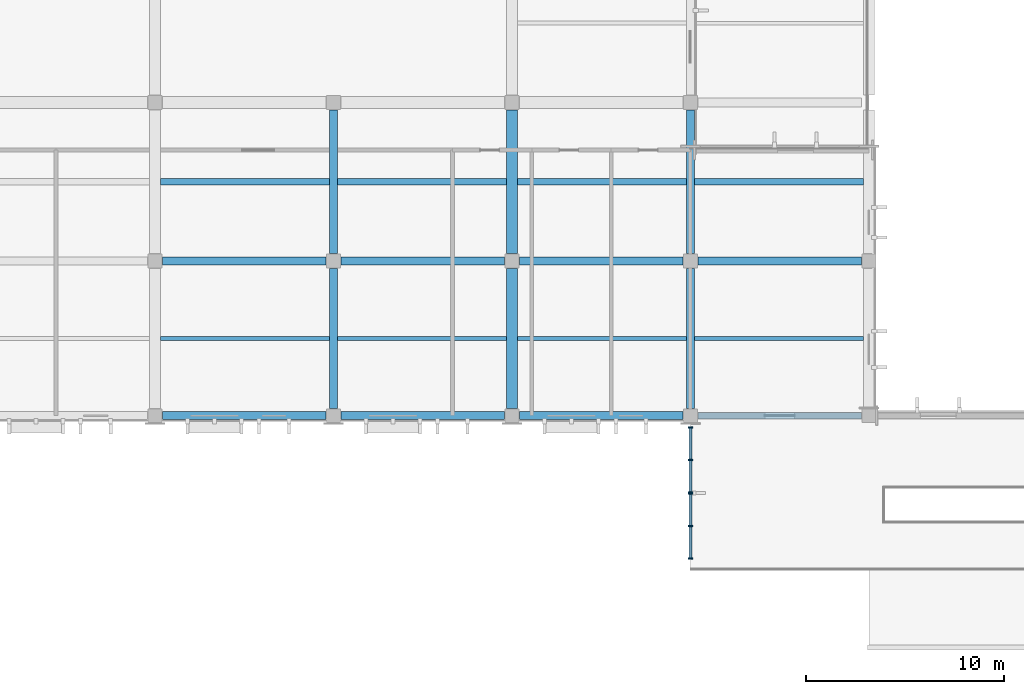
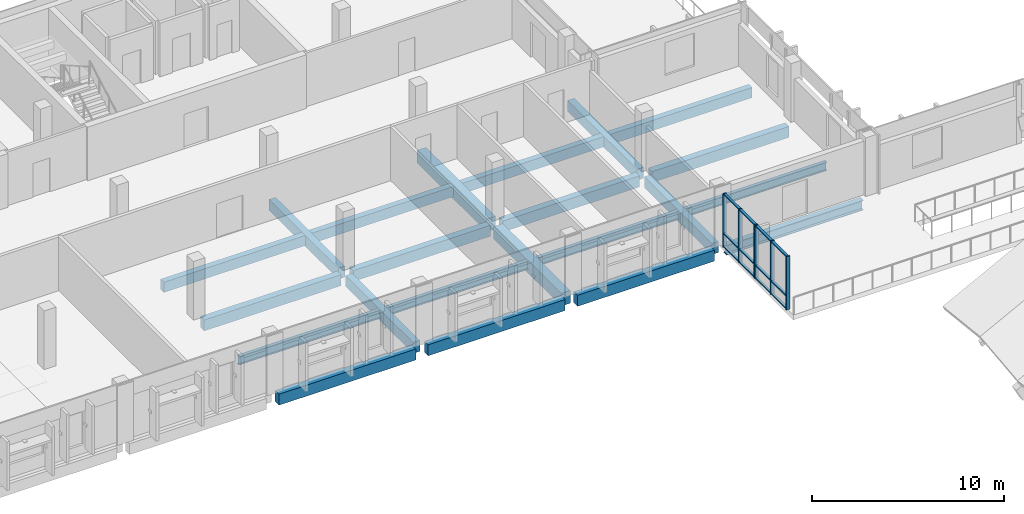
# One storey, part 21 of 73: 22 beams, 18 members, 2 elements without a shape of their own.
"""IFC4 building model written with IfcOpenShell, lengths in metres."""

from ifc_helpers import new_model, si_unit, direction, frame, origin, origin_2d, place, context, subcontext, project, spatial, rectangle, i_section, extrude, material, material_profile, profile_set, type_object, element, aggregate, save


model = new_model("IFC4")

# Units and contexts
model_context = context("Model", 3, precision=1e-05, world=origin(), true_north=direction((0.0, 1.0)))
body_context = subcontext(model_context, "Body", "Model", "MODEL_VIEW")
ifc_project = project(units=[si_unit("LENGTHUNIT", "METRE"), si_unit("AREAUNIT", "SQUARE_METRE"), si_unit("VOLUMEUNIT", "CUBIC_METRE"), si_unit("PLANEANGLEUNIT", "RADIAN"), si_unit("MASSUNIT", "GRAM", prefix="KILO")], contexts=[model_context])

# Site, building, storey
site_placement = place(None, origin())
site = spatial("IfcSite", under=ifc_project, at=site_placement, CompositionType="ELEMENT")
building_placement = place(site_placement, origin())
building = spatial("IfcBuilding", under=site, at=building_placement, Name="Vervanel Yard Central Library", CompositionType="ELEMENT")
storey_placement = place(building_placement, frame((0.0, 0.0, 12.780029296875)))
storey = spatial("IfcBuildingStorey", under=building, at=storey_placement, Name="L03", CompositionType="ELEMENT", Elevation=12.780029296875)

# Beams
ifc_material_1 = material(Name="Concrete C40/50", Category="concrete")
ifc_material_profile_1 = material_profile(ifc_material_1, rectangle(XDim=0.39990234375, YDim=0.699951171875, at=origin_2d()), Name="RC 400x700", Category="concrete")
ifc_profile_set_1 = profile_set([ifc_material_profile_1], Name="Concrete C40/50")
beam_type_1 = type_object("IfcBeamType", Name="Concrete Perimeter Spandrel 400x700", PredefinedType="SPANDREL", material=ifc_profile_set_1)
for number, where, z_axis, x_axis, name in (
    (1, (63.375, 82.199951171875, -0.68505859375), (1.0, 0.0, 0.0), (0.0, 1.0, 0.0), "L03 Girder SP-01 Y=82.2 X=63.0-72.0"),
    (2, (72.375, 82.199951171875, -0.68505859375), (1.0, 0.0, 0.0), (0.0, 1.0, 0.0), "L03 Girder SP-01 Y=82.2 X=72.0-81.0"),
    (3, (81.375, 82.199951171875, -0.68505859375), (1.0, 0.0, 0.0), (0.0, 1.0, 0.0), "L03 Girder SP-01 Y=82.2 X=81.0-90.0"),
    (4, (63.375, 90.0, -0.68505859375), (1.0, 0.0, 0.0), (0.0, 1.0, 0.0), "L03 Girder SP-01 Y=90.0 X=63.0-72.0"),
    (5, (72.375, 90.0, -0.68505859375), (1.0, 0.0, 0.0), (0.0, 1.0, 0.0), "L03 Girder SP-01 Y=90.0 X=72.0-81.0"),
    (6, (81.375, 90.0, -0.68505859375), (1.0, 0.0, 0.0), (0.0, 1.0, 0.0), "L03 Girder SP-01 Y=90.0 X=81.0-90.0"),
    (7, (90.375, 90.0, -0.68505859375), (1.0, 0.0, 0.0), (0.0, 1.0, 0.0), "L03 Girder SP-01 Y=90.0 X=90.0-99.0"),
):
    element("IfcBeam", number, at=place(storey_placement, frame(where, z_axis=z_axis, x_axis=x_axis)), inside=storey, type_object=beam_type_1, Name=name, PredefinedType="SPANDREL", context=body_context, shape_type="SweptSolid", body=[
        extrude(rectangle(XDim=0.39990234375, YDim=0.699951171875, at=origin_2d()), origin(), (0.0, 0.0, 1.0), 8.25),
    ])
beam_1_placement = place(storey_placement, frame((72.0, 82.574951171875, -0.68505859375), z_axis=(0.0, 1.0, 0.0), x_axis=(-1.0, 0.0, 0.0)))
element("IfcBeam", 8, at=beam_1_placement, inside=storey, type_object=beam_type_1, Name="L03 Girder SP-01 X=72.0 Y=82.2-90.0", PredefinedType="SPANDREL", context=body_context, shape_type="SweptSolid", body=[
    extrude(rectangle(XDim=0.39990234375, YDim=0.699951171875, at=origin_2d()), origin(), (0.0, 0.0, 1.0), 7.050048828125),
])
beam_2_placement = place(storey_placement, frame((72.0, 90.375, -0.68505859375), z_axis=(0.0, 1.0, 0.0), x_axis=(-1.0, 0.0, 0.0)))
element("IfcBeam", 9, at=beam_2_placement, inside=storey, type_object=beam_type_1, Name="L03 Girder SP-01 X=72.0 Y=90.0-98.0", PredefinedType="SPANDREL", context=body_context, shape_type="SweptSolid", body=[
    extrude(rectangle(XDim=0.39990234375, YDim=0.699951171875, at=origin_2d()), origin(), (0.0, 0.0, 1.0), 7.25),
])
beam_3_placement = place(storey_placement, frame((90.0, 82.574951171875, -0.68505859375), z_axis=(0.0, 1.0, 0.0), x_axis=(-1.0, 0.0, 0.0)))
element("IfcBeam", 10, at=beam_3_placement, inside=storey, type_object=beam_type_1, Name="L03 Girder SP-01 X=90.0 Y=82.2-90.0", PredefinedType="SPANDREL", context=body_context, shape_type="SweptSolid", body=[
    extrude(rectangle(XDim=0.39990234375, YDim=0.699951171875, at=origin_2d()), origin(), (0.0, 0.0, 1.0), 7.050048828125),
])
beam_4_placement = place(storey_placement, frame((90.0, 90.375, -0.68505859375), z_axis=(0.0, 1.0, 0.0), x_axis=(-1.0, 0.0, 0.0)))
element("IfcBeam", 11, at=beam_4_placement, inside=storey, type_object=beam_type_1, Name="L03 Girder SP-01 X=90.0 Y=90.0-98.0", PredefinedType="SPANDREL", context=body_context, shape_type="SweptSolid", body=[
    extrude(rectangle(XDim=0.39990234375, YDim=0.699951171875, at=origin_2d()), origin(), (0.0, 0.0, 1.0), 7.25),
])
ifc_material_profile_2 = material_profile(ifc_material_1, rectangle(XDim=0.550048828125, YDim=0.800048828125, at=origin_2d()), Name="RC 550x800", Category="concrete")
ifc_profile_set_2 = profile_set([ifc_material_profile_2], Name="Concrete C40/50")
beam_type_2 = type_object("IfcBeamType", Name="Concrete Primary Girder 550x800", PredefinedType="BEAM", material=ifc_profile_set_2)
beam_5_placement = place(storey_placement, frame((81.0, 82.574951171875, -0.735107421875), z_axis=(0.0, 1.0, 0.0), x_axis=(-1.0, 0.0, 0.0)))
element("IfcBeam", 12, at=beam_5_placement, inside=storey, type_object=beam_type_2, Name="L03 Girder CB-02 X=81.0 Y=82.2-90.0", PredefinedType="BEAM", context=body_context, shape_type="SweptSolid", body=[
    extrude(rectangle(XDim=0.550048828125, YDim=0.800048828125, at=origin_2d()), origin(), (0.0, 0.0, 1.0), 7.050048828125),
])
beam_6_placement = place(storey_placement, frame((81.0, 90.375, -0.735107421875), z_axis=(0.0, 1.0, 0.0), x_axis=(-1.0, 0.0, 0.0)))
element("IfcBeam", 13, at=beam_6_placement, inside=storey, type_object=beam_type_2, Name="L03 Girder CB-02 X=81.0 Y=90.0-98.0", PredefinedType="BEAM", context=body_context, shape_type="SweptSolid", body=[
    extrude(rectangle(XDim=0.550048828125, YDim=0.800048828125, at=origin_2d()), origin(), (0.0, 0.0, 1.0), 7.25),
])
ifc_material_2 = material(Name="Concrete C45/55", Category="concrete")
ifc_material_profile_3 = material_profile(ifc_material_2, rectangle(XDim=0.35009765625, YDim=0.64990234375, at=origin_2d()), Name="RC 350x650", Category="concrete")
ifc_profile_set_3 = profile_set([ifc_material_profile_3], Name="Concrete C45/55")
beam_type_3 = type_object("IfcBeamType", Name="Concrete Stack Joist 350x650", PredefinedType="JOIST", material=ifc_profile_set_3)
for number, where, z_axis, x_axis, name in (
    (14, (63.27490234375, 94.0, -0.659912109375), (1.0, 0.0, 0.0), (0.0, 1.0, 0.0), "L03 Floor Joist CJ-03 Y=94.00 X=63.0-72.0"),
    (15, (72.199951171875, 94.0, -0.659912109375), (1.0, 0.0, 0.0), (0.0, 1.0, 0.0), "L03 Floor Joist CJ-03 Y=94.00 X=72.0-81.0"),
    (16, (81.27490234375, 94.0, -0.659912109375), (1.0, 0.0, 0.0), (0.0, 1.0, 0.0), "L03 Floor Joist CJ-03 Y=94.00 X=81.0-90.0"),
    (17, (90.199951171875, 94.0, -0.659912109375), (1.0, 0.0, 0.0), (0.0, 1.0, 0.0), "L03 Floor Joist CJ-03 Y=94.00 X=90.0-99.0"),
):
    element("IfcBeam", number, at=place(storey_placement, frame(where, z_axis=z_axis, x_axis=x_axis)), inside=storey, type_object=beam_type_3, Name=name, PredefinedType="JOIST", context=body_context, shape_type="SweptSolid", body=[
        extrude(rectangle(XDim=0.35009765625, YDim=0.64990234375, at=origin_2d()), origin(), (0.0, 0.0, 1.0), 8.525146484375),
    ])

# Curtain wall, members
ifc_material_3 = material(Name="Thermally broken anodized aluminium 6063-T6", Category="aluminium")
curtain_wall_type = type_object("IfcCurtainWallType", Name="Reading Hall Full-Height Curtain Wall", PredefinedType="NOTDEFINED", material=ifc_material_3)
curtain_wall_1_placement = place(storey_placement, origin())
curtain_wall_1 = element("IfcCurtainWall", 18, at=curtain_wall_1_placement, inside=storey, type_object=curtain_wall_type, Name="L03 Reading Hall Full-Height Curtain Wall CWR-L03-054", PredefinedType="NOTDEFINED")
ifc_material_profile_4 = material_profile(ifc_material_3, rectangle(XDim=0.070068359375, YDim=0.219970703125, at=origin_2d()), Name="ALU 70x220", Category="aluminium")
ifc_profile_set_4 = profile_set([ifc_material_profile_4], Name="Thermally broken anodized aluminium 6063-T6")
member_type_1 = type_object("IfcMemberType", Name="Reading Hall Deep Mullion 70x220", PredefinedType="MULLION", material=ifc_profile_set_4)
member_1_placement = place(storey_placement, frame((90.0, 74.9951171875, 0.0), z_axis=(0.0, 0.0, 1.0), x_axis=(0.0, 1.0, 0.0)))
member_1 = element("IfcMember", 19, at=member_1_placement, type_object=member_type_1, Name="CWR-L03-054 Mullion 1", PredefinedType="MULLION", context=body_context, shape_type="SweptSolid", body=[
    extrude(rectangle(XDim=0.070068359375, YDim=0.219970703125, at=origin_2d()), origin(), (0.0, 0.0, 1.0), 3.39990234375),
])
member_2_placement = place(storey_placement, frame((90.0, 76.6298828125, 0.0), z_axis=(0.0, 0.0, 1.0), x_axis=(0.0, 1.0, 0.0)))
member_2 = element("IfcMember", 20, at=member_2_placement, type_object=member_type_1, Name="CWR-L03-054 Mullion 2", PredefinedType="MULLION", context=body_context, shape_type="SweptSolid", body=[
    extrude(rectangle(XDim=0.070068359375, YDim=0.219970703125, at=origin_2d()), origin(), (0.0, 0.0, 1.0), 3.39990234375),
])
member_3_placement = place(storey_placement, frame((90.0, 78.264892578125, 0.0), z_axis=(0.0, 0.0, 1.0), x_axis=(0.0, 1.0, 0.0)))
member_3 = element("IfcMember", 21, at=member_3_placement, type_object=member_type_1, Name="CWR-L03-054 Mullion 3", PredefinedType="MULLION", context=body_context, shape_type="SweptSolid", body=[
    extrude(rectangle(XDim=0.070068359375, YDim=0.219970703125, at=origin_2d()), origin(), (0.0, 0.0, 1.0), 3.39990234375),
])

curtain_wall_2_placement = place(storey_placement, origin())
curtain_wall_2 = element("IfcCurtainWall", 22, at=curtain_wall_2_placement, inside=storey, type_object=curtain_wall_type, Name="L03 Reading Hall Full-Height Curtain Wall CWR-L03-055", PredefinedType="NOTDEFINED")
member_4_placement = place(storey_placement, frame((90.0, 78.3349609375, 0.0), z_axis=(0.0, 0.0, 1.0), x_axis=(0.0, 1.0, 0.0)))
member_4 = element("IfcMember", 23, at=member_4_placement, type_object=member_type_1, Name="CWR-L03-055 Mullion 1", PredefinedType="MULLION", context=body_context, shape_type="SweptSolid", body=[
    extrude(rectangle(XDim=0.070068359375, YDim=0.219970703125, at=origin_2d()), origin(), (0.0, 0.0, 1.0), 3.39990234375),
])
member_5_placement = place(storey_placement, frame((90.0, 79.969970703125, 0.0), z_axis=(0.0, 0.0, 1.0), x_axis=(0.0, 1.0, 0.0)))
member_5 = element("IfcMember", 24, at=member_5_placement, type_object=member_type_1, Name="CWR-L03-055 Mullion 2", PredefinedType="MULLION", context=body_context, shape_type="SweptSolid", body=[
    extrude(rectangle(XDim=0.070068359375, YDim=0.219970703125, at=origin_2d()), origin(), (0.0, 0.0, 1.0), 3.39990234375),
])
member_6_placement = place(storey_placement, frame((90.0, 81.60498046875, 0.0), z_axis=(0.0, 0.0, 1.0), x_axis=(0.0, 1.0, 0.0)))
member_6 = element("IfcMember", 25, at=member_6_placement, type_object=member_type_1, Name="CWR-L03-055 Mullion 3", PredefinedType="MULLION", context=body_context, shape_type="SweptSolid", body=[
    extrude(rectangle(XDim=0.070068359375, YDim=0.219970703125, at=origin_2d()), origin(), (0.0, 0.0, 1.0), 3.39990234375),
])

# Member
ifc_material_profile_5 = material_profile(ifc_material_3, rectangle(XDim=0.070068359375, YDim=0.14990234375, at=origin_2d()), Name="ALU 70x150", Category="aluminium")
ifc_profile_set_5 = profile_set([ifc_material_profile_5], Name="Thermally broken anodized aluminium 6063-T6")
member_type_2 = type_object("IfcMemberType", Name="Reading Hall Deep Transom 70x150", PredefinedType="NOTDEFINED", material=ifc_profile_set_5)
member_7_placement = place(storey_placement, frame((90.0, 75.030029296875, 0.034912109375), z_axis=(0.0, 1.0, 0.0), x_axis=(0.0, 0.0, 1.0)))
member_7 = element("IfcMember", 26, at=member_7_placement, type_object=member_type_2, Name="CWR-L03-054 Transom B1-T1", ObjectType="TRANSOM", PredefinedType="USERDEFINED", context=body_context, shape_type="SweptSolid", body=[
    extrude(rectangle(XDim=0.070068359375, YDim=0.14990234375, at=origin_2d()), origin(), (0.0, 0.0, 1.0), 1.56494140625),
])

member_8_placement = place(storey_placement, frame((90.0, 75.030029296875, 0.849853515625), z_axis=(0.0, 1.0, 0.0), x_axis=(0.0, 0.0, 1.0)))
member_8 = element("IfcMember", 27, at=member_8_placement, type_object=member_type_2, Name="CWR-L03-054 Transom B1-T2", ObjectType="TRANSOM", PredefinedType="USERDEFINED", context=body_context, shape_type="SweptSolid", body=[
    extrude(rectangle(XDim=0.070068359375, YDim=0.14990234375, at=origin_2d()), origin(), (0.0, 0.0, 1.0), 1.56494140625),
])

member_9_placement = place(storey_placement, frame((90.0, 75.030029296875, 3.364990234375), z_axis=(0.0, 1.0, 0.0), x_axis=(0.0, 0.0, 1.0)))
member_9 = element("IfcMember", 28, at=member_9_placement, type_object=member_type_2, Name="CWR-L03-054 Transom B1-T3", ObjectType="TRANSOM", PredefinedType="USERDEFINED", context=body_context, shape_type="SweptSolid", body=[
    extrude(rectangle(XDim=0.070068359375, YDim=0.14990234375, at=origin_2d()), origin(), (0.0, 0.0, 1.0), 1.56494140625),
])

member_10_placement = place(storey_placement, frame((90.0, 76.6650390625, 0.034912109375), z_axis=(0.0, 1.0, 0.0), x_axis=(0.0, 0.0, 1.0)))
member_10 = element("IfcMember", 29, at=member_10_placement, type_object=member_type_2, Name="CWR-L03-054 Transom B2-T1", ObjectType="TRANSOM", PredefinedType="USERDEFINED", context=body_context, shape_type="SweptSolid", body=[
    extrude(rectangle(XDim=0.070068359375, YDim=0.14990234375, at=origin_2d()), origin(), (0.0, 0.0, 1.0), 1.56494140625),
])

member_11_placement = place(storey_placement, frame((90.0, 76.6650390625, 0.849853515625), z_axis=(0.0, 1.0, 0.0), x_axis=(0.0, 0.0, 1.0)))
member_11 = element("IfcMember", 30, at=member_11_placement, type_object=member_type_2, Name="CWR-L03-054 Transom B2-T2", ObjectType="TRANSOM", PredefinedType="USERDEFINED", context=body_context, shape_type="SweptSolid", body=[
    extrude(rectangle(XDim=0.070068359375, YDim=0.14990234375, at=origin_2d()), origin(), (0.0, 0.0, 1.0), 1.56494140625),
])

member_12_placement = place(storey_placement, frame((90.0, 76.6650390625, 3.364990234375), z_axis=(0.0, 1.0, 0.0), x_axis=(0.0, 0.0, 1.0)))
member_12 = element("IfcMember", 31, at=member_12_placement, type_object=member_type_2, Name="CWR-L03-054 Transom B2-T3", ObjectType="TRANSOM", PredefinedType="USERDEFINED", context=body_context, shape_type="SweptSolid", body=[
    extrude(rectangle(XDim=0.070068359375, YDim=0.14990234375, at=origin_2d()), origin(), (0.0, 0.0, 1.0), 1.56494140625),
])

aggregate(curtain_wall_1, [member_1, member_2, member_3, member_7, member_8, member_9, member_10, member_11, member_12])

member_13_placement = place(storey_placement, frame((90.0, 78.3701171875, 0.034912109375), z_axis=(0.0, 1.0, 0.0), x_axis=(0.0, 0.0, 1.0)))
member_13 = element("IfcMember", 32, at=member_13_placement, type_object=member_type_2, Name="CWR-L03-055 Transom B1-T1", ObjectType="TRANSOM", PredefinedType="USERDEFINED", context=body_context, shape_type="SweptSolid", body=[
    extrude(rectangle(XDim=0.070068359375, YDim=0.14990234375, at=origin_2d()), origin(), (0.0, 0.0, 1.0), 1.56494140625),
])

member_14_placement = place(storey_placement, frame((90.0, 78.3701171875, 0.849853515625), z_axis=(0.0, 1.0, 0.0), x_axis=(0.0, 0.0, 1.0)))
member_14 = element("IfcMember", 33, at=member_14_placement, type_object=member_type_2, Name="CWR-L03-055 Transom B1-T2", ObjectType="TRANSOM", PredefinedType="USERDEFINED", context=body_context, shape_type="SweptSolid", body=[
    extrude(rectangle(XDim=0.070068359375, YDim=0.14990234375, at=origin_2d()), origin(), (0.0, 0.0, 1.0), 1.56494140625),
])

member_15_placement = place(storey_placement, frame((90.0, 78.3701171875, 3.364990234375), z_axis=(0.0, 1.0, 0.0), x_axis=(0.0, 0.0, 1.0)))
member_15 = element("IfcMember", 34, at=member_15_placement, type_object=member_type_2, Name="CWR-L03-055 Transom B1-T3", ObjectType="TRANSOM", PredefinedType="USERDEFINED", context=body_context, shape_type="SweptSolid", body=[
    extrude(rectangle(XDim=0.070068359375, YDim=0.14990234375, at=origin_2d()), origin(), (0.0, 0.0, 1.0), 1.56494140625),
])

member_16_placement = place(storey_placement, frame((90.0, 80.0048828125, 0.034912109375), z_axis=(0.0, 1.0, 0.0), x_axis=(0.0, 0.0, 1.0)))
member_16 = element("IfcMember", 35, at=member_16_placement, type_object=member_type_2, Name="CWR-L03-055 Transom B2-T1", ObjectType="TRANSOM", PredefinedType="USERDEFINED", context=body_context, shape_type="SweptSolid", body=[
    extrude(rectangle(XDim=0.070068359375, YDim=0.14990234375, at=origin_2d()), origin(), (0.0, 0.0, 1.0), 1.565185546875),
])

member_17_placement = place(storey_placement, frame((90.0, 80.0048828125, 0.849853515625), z_axis=(0.0, 1.0, 0.0), x_axis=(0.0, 0.0, 1.0)))
member_17 = element("IfcMember", 36, at=member_17_placement, type_object=member_type_2, Name="CWR-L03-055 Transom B2-T2", ObjectType="TRANSOM", PredefinedType="USERDEFINED", context=body_context, shape_type="SweptSolid", body=[
    extrude(rectangle(XDim=0.070068359375, YDim=0.14990234375, at=origin_2d()), origin(), (0.0, 0.0, 1.0), 1.565185546875),
])

member_18_placement = place(storey_placement, frame((90.0, 80.0048828125, 3.364990234375), z_axis=(0.0, 1.0, 0.0), x_axis=(0.0, 0.0, 1.0)))
member_18 = element("IfcMember", 37, at=member_18_placement, type_object=member_type_2, Name="CWR-L03-055 Transom B2-T3", ObjectType="TRANSOM", PredefinedType="USERDEFINED", context=body_context, shape_type="SweptSolid", body=[
    extrude(rectangle(XDim=0.070068359375, YDim=0.14990234375, at=origin_2d()), origin(), (0.0, 0.0, 1.0), 1.565185546875),
])

aggregate(curtain_wall_2, [member_4, member_5, member_6, member_13, member_14, member_15, member_16, member_17, member_18])

# Beams
ifc_material_4 = material(Name="Steel ASTM A992 Grade 50", Category="steel")
ifc_material_profile_6 = material_profile(ifc_material_4, i_section(OverallWidth=0.32763671875, OverallDepth=0.622314453125, WebThickness=0.015380859375, FlangeThickness=0.0244140625, at=origin_2d()), Name="W24X131", Category="steel")
ifc_profile_set_6 = profile_set([ifc_material_profile_6], Name="Steel ASTM A992 Grade 50")
beam_type_4 = type_object("IfcBeamType", Name="Steel Primary Girder W24X131", PredefinedType="BEAM", material=ifc_profile_set_6)
beam_7_placement = place(storey_placement, frame((90.375, 82.199951171875, -0.646240234375), z_axis=(1.0, 0.0, 0.0), x_axis=(0.0, 1.0, 0.0)))
element("IfcBeam", 38, at=beam_7_placement, inside=storey, type_object=beam_type_4, Name="L03 Girder SB-02 Y=82.2 X=90.0-99.0", PredefinedType="BEAM", context=body_context, shape_type="SweptSolid", body=[
    extrude(i_section(OverallWidth=0.32763671875, OverallDepth=0.622314453125, WebThickness=0.015380859375, FlangeThickness=0.0244140625, at=origin_2d()), origin(), (0.0, 0.0, 1.0), 8.25),
])
ifc_material_profile_7 = material_profile(ifc_material_4, i_section(OverallWidth=0.2099609375, OverallDepth=0.535888671875, WebThickness=0.010986328125, FlangeThickness=0.017333984375, at=origin_2d()), Name="W21X68", Category="steel")
ifc_profile_set_7 = profile_set([ifc_material_profile_7], Name="Steel ASTM A992 Grade 50")
beam_type_5 = type_object("IfcBeamType", Name="Steel Stack Floor Joist W21X68", PredefinedType="JOIST", material=ifc_profile_set_7)
for number, where, z_axis, x_axis, name in (
    (39, (63.27490234375, 86.10009765625, -0.60302734375), (1.0, 0.0, 0.0), (0.0, 1.0, 0.0), "L03 Floor Joist SJ-04 Y=86.10 X=63.0-72.0"),
    (40, (72.199951171875, 86.10009765625, -0.60302734375), (1.0, 0.0, 0.0), (0.0, 1.0, 0.0), "L03 Floor Joist SJ-04 Y=86.10 X=72.0-81.0"),
    (41, (81.27490234375, 86.10009765625, -0.60302734375), (1.0, 0.0, 0.0), (0.0, 1.0, 0.0), "L03 Floor Joist SJ-04 Y=86.10 X=81.0-90.0"),
    (42, (90.199951171875, 86.10009765625, -0.60302734375), (1.0, 0.0, 0.0), (0.0, 1.0, 0.0), "L03 Floor Joist SJ-04 Y=86.10 X=90.0-99.0"),
):
    element("IfcBeam", number, at=place(storey_placement, frame(where, z_axis=z_axis, x_axis=x_axis)), inside=storey, type_object=beam_type_5, Name=name, PredefinedType="JOIST", context=body_context, shape_type="SweptSolid", body=[
        extrude(i_section(OverallWidth=0.2099609375, OverallDepth=0.535888671875, WebThickness=0.010986328125, FlangeThickness=0.017333984375, at=origin_2d()), origin(), (0.0, 0.0, 1.0), 8.525146484375),
    ])

save(model, "model.ifc")
